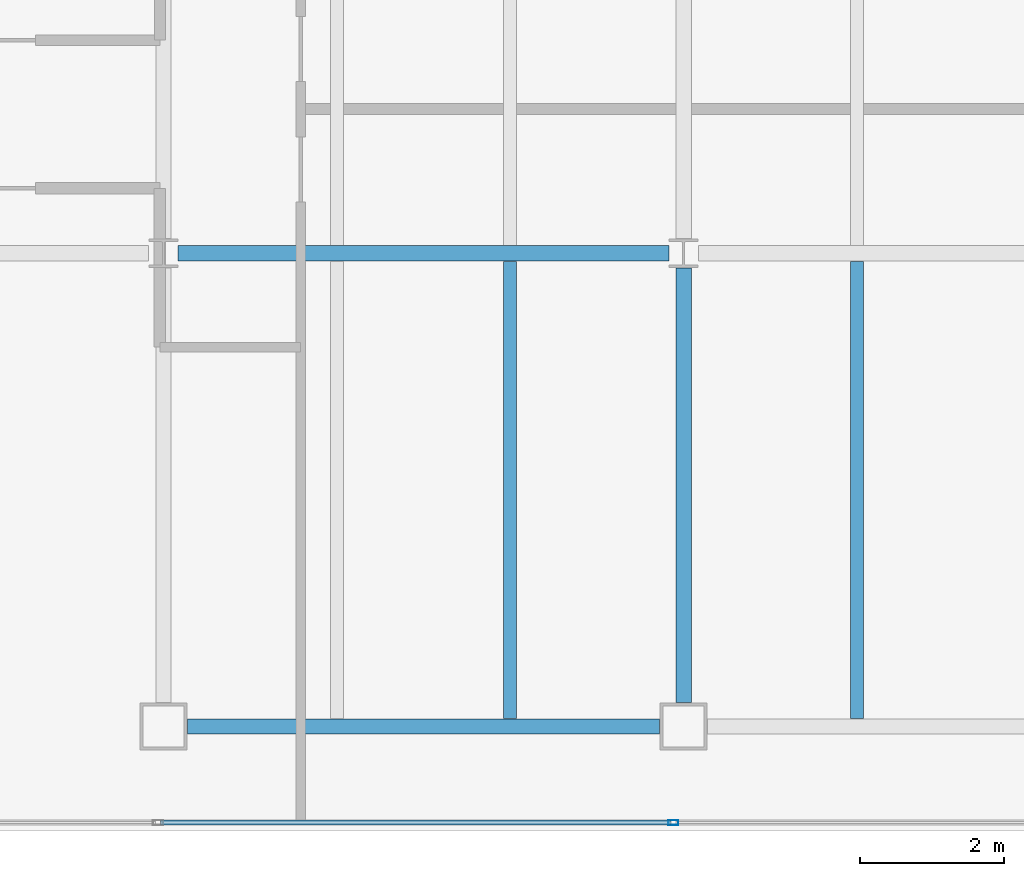
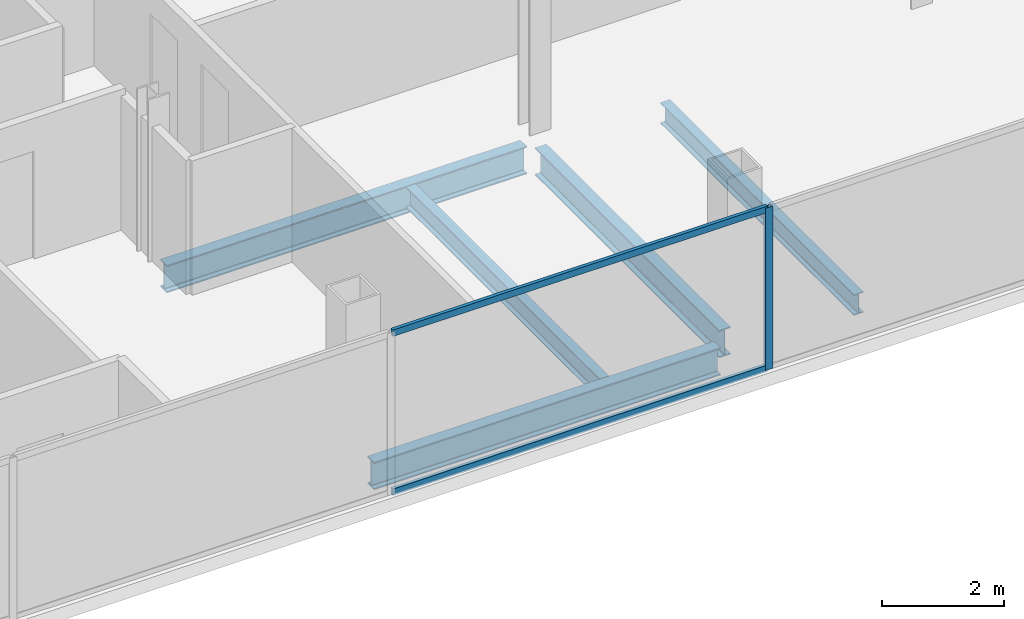
# One storey, part 6 of 23: 5 beams, 3 members, 1 element without a shape of its own.
"""IFC4 building model written with IfcOpenShell, lengths in metres."""

from ifc_helpers import new_model, si_unit, direction, frame, origin, origin_2d, place, context, subcontext, project, spatial, hollow_rectangle, i_section, extrude, material, material_profile, profile_set, type_object, element, aggregate, save


model = new_model("IFC4")

# Units and contexts
model_context = context("Model", 3, precision=1e-05, world=origin(), true_north=direction((0.0, 1.0)))
body_context = subcontext(model_context, "Body", "Model", "MODEL_VIEW")
ifc_project = project(units=[si_unit("LENGTHUNIT", "METRE"), si_unit("AREAUNIT", "SQUARE_METRE"), si_unit("VOLUMEUNIT", "CUBIC_METRE"), si_unit("PLANEANGLEUNIT", "RADIAN"), si_unit("MASSUNIT", "GRAM", prefix="KILO")], contexts=[model_context])

# Site, building, storey
site_placement = place(None, origin())
site = spatial("IfcSite", under=ifc_project, at=site_placement, CompositionType="ELEMENT")
building_placement = place(site_placement, origin())
building = spatial("IfcBuilding", under=site, at=building_placement, Name="Cobrela Telecom Tower", CompositionType="ELEMENT")
storey_placement = place(building_placement, frame((0.0, 0.0, 255.14990234375)))
storey = spatial("IfcBuildingStorey", under=building, at=storey_placement, Name="L66", CompositionType="ELEMENT", Elevation=255.14990234375)

# Beams
ifc_material_1 = material(Name="Steel ASTM A992 Grade 50", Category="steel")
ifc_material_profile_1 = material_profile(ifc_material_1, i_section(OverallWidth=0.212890625, OverallDepth=0.549072265625, WebThickness=0.0146484375, FlangeThickness=0.023681640625, FilletRadius=0.013916015625, at=origin_2d()), Name="W21X93")
ifc_profile_set_1 = profile_set([ifc_material_profile_1], Name="Steel ASTM A992 Grade 50")
beam_type_1 = type_object("IfcBeamType", Name="BM-GIRD-08", PredefinedType="USERDEFINED", material=ifc_profile_set_1)
beam_1_placement = place(storey_placement, frame((21.929931640625, 7.85009765625, -0.534423828125), z_axis=(1.0, 0.0, 0.0), x_axis=(0.0, 1.0, 0.0)))
element("IfcBeam", 1, at=beam_1_placement, inside=storey, type_object=beam_type_1, Name="L66 Primary Girder X03", ObjectType="GIRDER", PredefinedType="USERDEFINED", context=body_context, shape_type="SweptSolid", body=[
    extrude(i_section(OverallWidth=0.212890625, OverallDepth=0.549072265625, WebThickness=0.0146484375, FlangeThickness=0.023681640625, FilletRadius=0.013916015625, at=origin_2d()), origin(), (0.0, 0.0, 1.0), 6.5400390625),
])
beam_2_placement = place(storey_placement, frame((21.804443359375, 14.39990234375, -0.534423828125), z_axis=(1.0, 0.0, 0.0), x_axis=(0.0, 1.0, 0.0)))
element("IfcBeam", 2, at=beam_2_placement, inside=storey, type_object=beam_type_1, Name="L66 Primary Girder X06", ObjectType="GIRDER", PredefinedType="USERDEFINED", context=body_context, shape_type="SweptSolid", body=[
    extrude(i_section(OverallWidth=0.212890625, OverallDepth=0.549072265625, WebThickness=0.0146484375, FlangeThickness=0.023681640625, FilletRadius=0.013916015625, at=origin_2d()), origin(), (0.0, 0.0, 1.0), 6.791015625),
])
beam_3_placement = place(storey_placement, frame((28.800048828125, 8.179931640625, -0.534423828125), z_axis=(0.0, 1.0, 0.0), x_axis=(-1.0, 0.0, 0.0)))
element("IfcBeam", 3, at=beam_3_placement, inside=storey, type_object=beam_type_1, Name="L66 Primary Girder Y29", ObjectType="GIRDER", PredefinedType="USERDEFINED", context=body_context, shape_type="SweptSolid", body=[
    extrude(i_section(OverallWidth=0.212890625, OverallDepth=0.549072265625, WebThickness=0.0146484375, FlangeThickness=0.023681640625, FilletRadius=0.013916015625, at=origin_2d()), origin(), (0.0, 0.0, 1.0), 6.015625),
])
ifc_material_profile_2 = material_profile(ifc_material_1, i_section(OverallWidth=0.179931640625, OverallDepth=0.4169921875, WebThickness=0.010986328125, FlangeThickness=0.01806640625, FilletRadius=0.011962890625, at=origin_2d()), Name="W16X57")
ifc_profile_set_2 = profile_set([ifc_material_profile_2], Name="Steel ASTM A992 Grade 50")
beam_type_2 = type_object("IfcBeamType", Name="BM-JOIST-04", PredefinedType="JOIST", material=ifc_profile_set_2)
for number, where, z_axis, x_axis, name in (
    (4, (26.39990234375, 7.96142578125, -0.468505859375), (0.0, 1.0, 0.0), (-1.0, 0.0, 0.0), "L66 Secondary Composite Floor Beam J09"),
    (5, (31.199951171875, 7.96142578125, -0.468505859375), (0.0, 1.0, 0.0), (-1.0, 0.0, 0.0), "L66 Secondary Composite Floor Beam J11"),
):
    element("IfcBeam", number, at=place(storey_placement, frame(where, z_axis=z_axis, x_axis=x_axis)), inside=storey, type_object=beam_type_2, Name=name, PredefinedType="JOIST", context=body_context, shape_type="SweptSolid", body=[
        extrude(i_section(OverallWidth=0.179931640625, OverallDepth=0.4169921875, WebThickness=0.010986328125, FlangeThickness=0.01806640625, FilletRadius=0.011962890625, at=origin_2d()), origin(), (0.0, 0.0, 1.0), 6.3271484375),
    ])

# Curtain wall, members
ifc_material_2 = material(Name="Anodized Bronze Aluminium 6063-T6", Category="aluminium")
curtain_wall_type = type_object("IfcCurtainWallType", Name="CW-SYS-OFF-HI", PredefinedType="USERDEFINED", material=ifc_material_2)
curtain_wall_placement = place(storey_placement, origin())
curtain_wall = element("IfcCurtainWall", 6, at=curtain_wall_placement, inside=storey, type_object=curtain_wall_type, Name="L66 Unitised Bronze Curtain Wall 15", ObjectType="UNITISED CURTAIN WALL", PredefinedType="USERDEFINED")
ifc_material_profile_3 = material_profile(ifc_material_2, hollow_rectangle(XDim=0.070068359375, YDim=0.139892578125, WallThickness=0.00390625, at=origin_2d()), Name="ALU 70x140x4")
ifc_profile_set_3 = profile_set([ifc_material_profile_3], Name="Anodized Bronze Aluminium 6063-T6")
member_type_1 = type_object("IfcMemberType", Name="CW-SYS-OFF-HI-MUL", PredefinedType="MULLION", material=ifc_profile_set_3)
member_1_placement = place(storey_placement, frame((28.659912109375, 6.52001953125, 0.0), z_axis=(0.0, 0.0, 1.0), x_axis=(0.0, -1.0, 0.0)))
member_1 = element("IfcMember", 7, at=member_1_placement, type_object=member_type_1, Name="CW-OFF-HI mullion 3", PredefinedType="MULLION", context=body_context, shape_type="SweptSolid", body=[
    extrude(hollow_rectangle(XDim=0.070068359375, YDim=0.139892578125, WallThickness=0.00390625, at=origin_2d()), origin(), (0.0, 0.0, 1.0), 3.239990234375),
])
ifc_material_profile_4 = material_profile(ifc_material_2, hollow_rectangle(XDim=0.06494140625, YDim=0.1298828125, WallThickness=0.00390625, at=origin_2d()), Name="ALU 65x130x4")
ifc_profile_set_4 = profile_set([ifc_material_profile_4], Name="Anodized Bronze Aluminium 6063-T6")
member_type_2 = type_object("IfcMemberType", Name="CW-SYS-OFF-HI-TRN", PredefinedType="USERDEFINED", material=ifc_profile_set_4)
member_2_placement = place(storey_placement, frame((28.625, 6.52001953125, 0.03271484375), z_axis=(-1.0, 0.0, 0.0), x_axis=(0.0, -1.0, 0.0)))
member_2 = element("IfcMember", 8, at=member_2_placement, type_object=member_type_2, Name="CW-OFF-HI transom 3.1", ObjectType="TRANSOM", PredefinedType="USERDEFINED", context=body_context, shape_type="SweptSolid", body=[
    extrude(hollow_rectangle(XDim=0.06494140625, YDim=0.1298828125, WallThickness=0.00390625, at=origin_2d()), origin(), (0.0, 0.0, 1.0), 7.06494140625),
])
member_3_placement = place(storey_placement, frame((28.625, 6.52001953125, 3.20751953125), z_axis=(-1.0, 0.0, 0.0), x_axis=(0.0, -1.0, 0.0)))
member_3 = element("IfcMember", 9, at=member_3_placement, type_object=member_type_2, Name="CW-OFF-HI transom 3.2", ObjectType="TRANSOM", PredefinedType="USERDEFINED", context=body_context, shape_type="SweptSolid", body=[
    extrude(hollow_rectangle(XDim=0.06494140625, YDim=0.1298828125, WallThickness=0.00390625, at=origin_2d()), origin(), (0.0, 0.0, 1.0), 7.06494140625),
])
aggregate(curtain_wall, [member_1, member_2, member_3])

save(model, "model.ifc")
